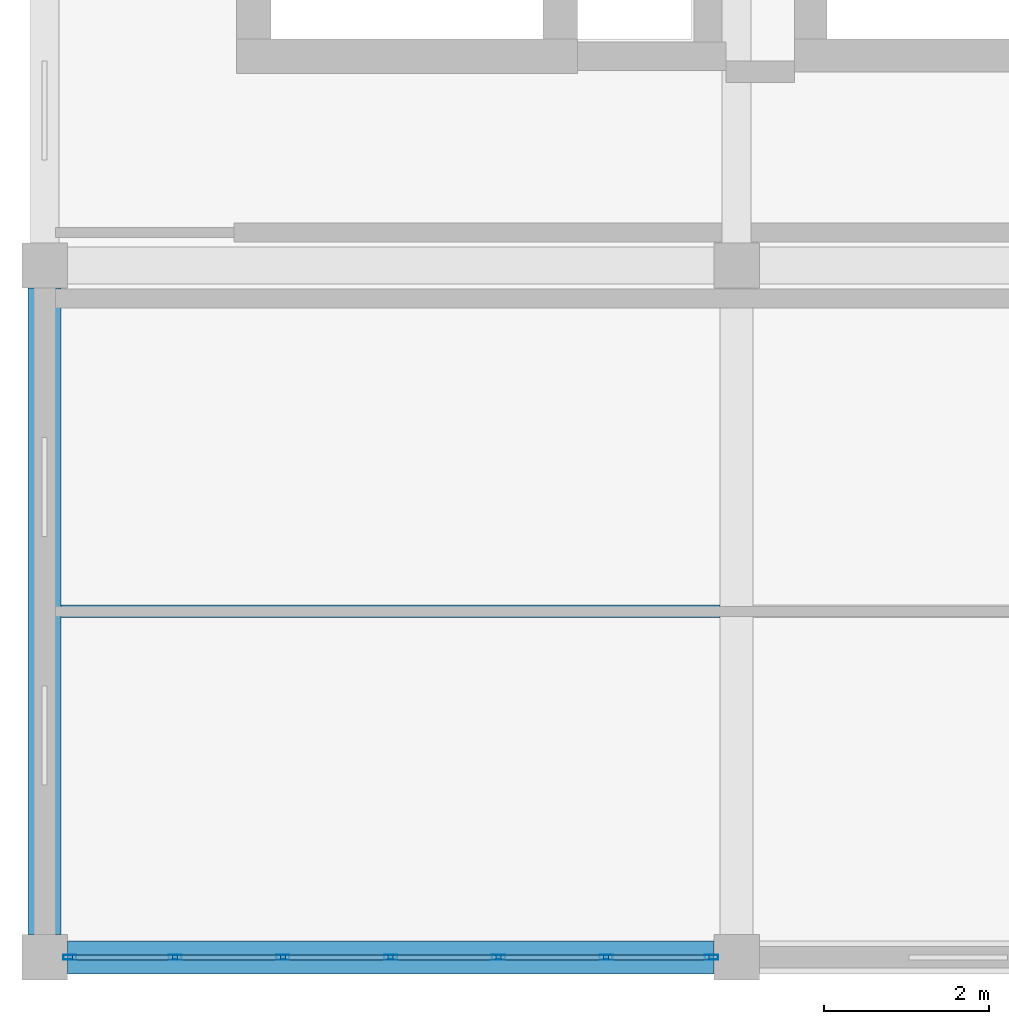
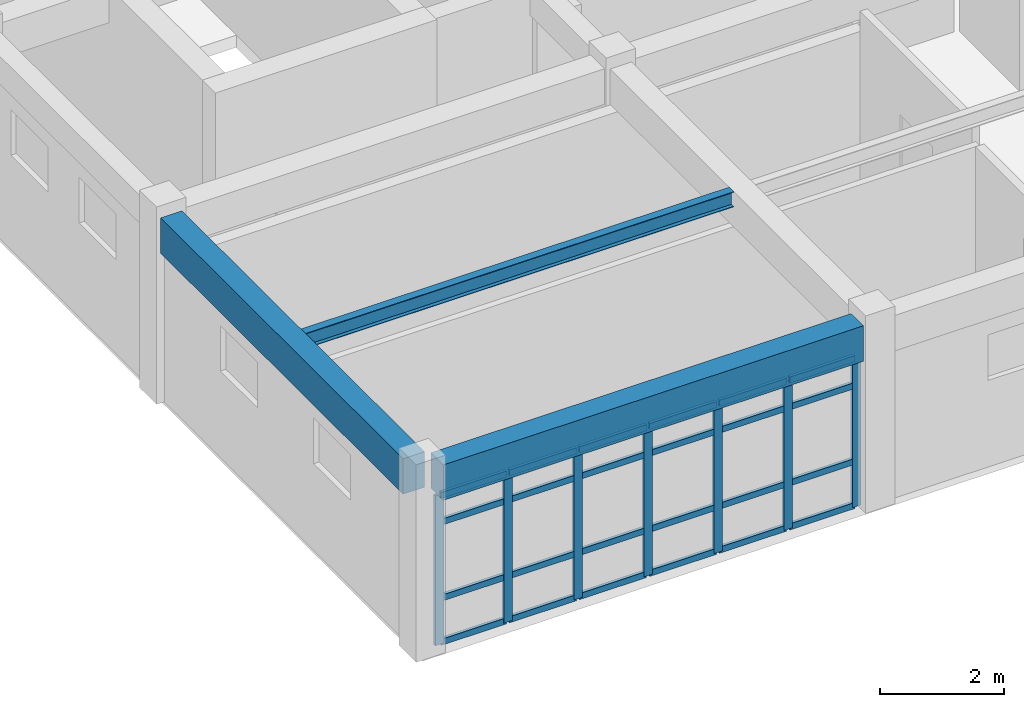
# One storey, part 2 of 17: 31 members, 3 beams, 1 element without a shape of its own.
"""IFC4 building model written with IfcOpenShell, lengths in metres."""

from ifc_helpers import new_model, si_unit, direction, frame, origin, origin_2d, place, context, subcontext, project, spatial, rectangle, hollow_rectangle, i_section, extrude, material, layer, layer_set, material_profile, profile_set, type_object, element, aggregate, save


model = new_model("IFC4")

# Units and contexts
model_context = context("Model", 3, precision=1e-05, world=origin(), true_north=direction((0.0, 1.0)))
body_context = subcontext(model_context, "Body", "Model", "MODEL_VIEW")
ifc_project = project(units=[si_unit("LENGTHUNIT", "METRE"), si_unit("AREAUNIT", "SQUARE_METRE"), si_unit("VOLUMEUNIT", "CUBIC_METRE"), si_unit("PLANEANGLEUNIT", "RADIAN"), si_unit("MASSUNIT", "GRAM", prefix="KILO")], contexts=[model_context])

# Site, building, storey
site_placement = place(None, origin())
site = spatial("IfcSite", under=ifc_project, at=site_placement, CompositionType="ELEMENT")
building_placement = place(site_placement, origin())
building = spatial("IfcBuilding", under=site, at=building_placement, Name="Krzemoval Escarpment Law Courts", CompositionType="ELEMENT")
storey_placement = place(building_placement, frame((0.0, 0.0, 42.0)))
storey = spatial("IfcBuildingStorey", under=building, at=storey_placement, Name="L09", CompositionType="ELEMENT", Elevation=42.0)

# Beams
ifc_material_1 = material(Name="Concrete C40/50", Category="concrete")
ifc_material_profile_1 = material_profile(ifc_material_1, rectangle(XDim=0.39990234375, YDim=0.699951171875, at=origin_2d()), Name="RCB 400x700")
ifc_profile_set_1 = profile_set([ifc_material_profile_1], Name="Concrete C40/50")
beam_type_1 = type_object("IfcBeamType", Name="BM-RC-400x700", PredefinedType="BEAM", material=ifc_profile_set_1)
beam_1_placement = place(storey_placement, frame((126.27490234375, 85.199951171875, 3.31005859375), z_axis=(1.0, 0.0, 0.0), x_axis=(0.0, 1.0, 0.0)))
element("IfcBeam", 1, at=beam_1_placement, inside=storey, type_object=beam_type_1, Name="Beam FG-L09-2784", PredefinedType="BEAM", context=body_context, shape_type="SweptSolid", body=[
    extrude(rectangle(XDim=0.39990234375, YDim=0.699951171875, at=origin_2d()), origin(), (0.0, 0.0, 1.0), 7.85009765625),
])
beam_2_placement = place(storey_placement, frame((126.0, 85.47509765625, 3.31005859375), z_axis=(0.0, 1.0, 0.0), x_axis=(-1.0, 0.0, 0.0)))
element("IfcBeam", 2, at=beam_2_placement, inside=storey, type_object=beam_type_1, Name="Beam FG-L09-2801", PredefinedType="BEAM", context=body_context, shape_type="SweptSolid", body=[
    extrude(rectangle(XDim=0.39990234375, YDim=0.699951171875, at=origin_2d()), origin(), (0.0, 0.0, 1.0), 7.849853515625),
])

# Curtain wall, members
ifc_material_2 = material(Name="Aluminium 6063-T6", Category="aluminium")
ifc_layer = layer(ifc_material_2, 0.199951171875)
ifc_layer_set = layer_set([ifc_layer], Name="Aluminium 6063-T6")
curtain_wall_type = type_object("IfcCurtainWallType", Name="CW-CRWN-3900", PredefinedType="USERDEFINED", material=ifc_layer_set)
curtain_wall_placement = place(storey_placement, origin())
curtain_wall = element("IfcCurtainWall", 3, at=curtain_wall_placement, inside=storey, type_object=curtain_wall_type, Name="Unitised Curtain Wall FCW-L09-168", ObjectType="UNITISED_CURTAIN_WALL", PredefinedType="USERDEFINED")
ifc_material_3 = material(Name="Aluminium 6063-T6", Category="aluminium")
ifc_material_profile_2 = material_profile(ifc_material_3, hollow_rectangle(XDim=0.06005859375, YDim=0.159912109375, WallThickness=0.00390625, at=origin_2d()), Name="ALU M60x160")
ifc_profile_set_2 = profile_set([ifc_material_profile_2], Name="Aluminium 6063-T6")
member_type_1 = type_object("IfcMemberType", Name="CWM-60x160", PredefinedType="MULLION", material=ifc_profile_set_2)
member_1_placement = place(storey_placement, frame((134.094970703125, 85.199951171875, 0.0), z_axis=(0.0, 0.0, 1.0), x_axis=(0.0, -1.0, 0.0)))
member_1 = element("IfcMember", 4, at=member_1_placement, type_object=member_type_1, Name="FCW-L09-168 mullion 1", PredefinedType="MULLION", context=body_context, shape_type="SweptSolid", body=[
    extrude(hollow_rectangle(XDim=0.06005859375, YDim=0.159912109375, WallThickness=0.00390625, at=origin_2d()), origin(), (0.0, 0.0, 1.0), 2.9599609375),
])
member_2_placement = place(storey_placement, frame((132.816650390625, 85.199951171875, 0.0), z_axis=(0.0, 0.0, 1.0), x_axis=(0.0, -1.0, 0.0)))
member_2 = element("IfcMember", 5, at=member_2_placement, type_object=member_type_1, Name="FCW-L09-168 mullion 2", PredefinedType="MULLION", context=body_context, shape_type="SweptSolid", body=[
    extrude(hollow_rectangle(XDim=0.06005859375, YDim=0.159912109375, WallThickness=0.00390625, at=origin_2d()), origin(), (0.0, 0.0, 1.0), 2.9599609375),
])
member_3_placement = place(storey_placement, frame((131.50830078125, 85.199951171875, 0.0), z_axis=(0.0, 0.0, 1.0), x_axis=(0.0, -1.0, 0.0)))
member_3 = element("IfcMember", 6, at=member_3_placement, type_object=member_type_1, Name="FCW-L09-168 mullion 3", PredefinedType="MULLION", context=body_context, shape_type="SweptSolid", body=[
    extrude(hollow_rectangle(XDim=0.06005859375, YDim=0.159912109375, WallThickness=0.00390625, at=origin_2d()), origin(), (0.0, 0.0, 1.0), 2.9599609375),
])
member_4_placement = place(storey_placement, frame((130.199951171875, 85.199951171875, 0.0), z_axis=(0.0, 0.0, 1.0), x_axis=(0.0, -1.0, 0.0)))
member_4 = element("IfcMember", 7, at=member_4_placement, type_object=member_type_1, Name="FCW-L09-168 mullion 4", PredefinedType="MULLION", context=body_context, shape_type="SweptSolid", body=[
    extrude(hollow_rectangle(XDim=0.06005859375, YDim=0.159912109375, WallThickness=0.00390625, at=origin_2d()), origin(), (0.0, 0.0, 1.0), 2.9599609375),
])
member_5_placement = place(storey_placement, frame((128.8916015625, 85.199951171875, 0.0), z_axis=(0.0, 0.0, 1.0), x_axis=(0.0, -1.0, 0.0)))
member_5 = element("IfcMember", 8, at=member_5_placement, type_object=member_type_1, Name="FCW-L09-168 mullion 5", PredefinedType="MULLION", context=body_context, shape_type="SweptSolid", body=[
    extrude(hollow_rectangle(XDim=0.06005859375, YDim=0.159912109375, WallThickness=0.00390625, at=origin_2d()), origin(), (0.0, 0.0, 1.0), 2.9599609375),
])
member_6_placement = place(storey_placement, frame((127.583251953125, 85.199951171875, 0.0), z_axis=(0.0, 0.0, 1.0), x_axis=(0.0, -1.0, 0.0)))
member_6 = element("IfcMember", 9, at=member_6_placement, type_object=member_type_1, Name="FCW-L09-168 mullion 6", PredefinedType="MULLION", context=body_context, shape_type="SweptSolid", body=[
    extrude(hollow_rectangle(XDim=0.06005859375, YDim=0.159912109375, WallThickness=0.00390625, at=origin_2d()), origin(), (0.0, 0.0, 1.0), 2.9599609375),
])
member_7_placement = place(storey_placement, frame((126.304931640625, 85.199951171875, 0.0), z_axis=(0.0, 0.0, 1.0), x_axis=(0.0, -1.0, 0.0)))
member_7 = element("IfcMember", 10, at=member_7_placement, type_object=member_type_1, Name="FCW-L09-168 mullion 7", PredefinedType="MULLION", context=body_context, shape_type="SweptSolid", body=[
    extrude(hollow_rectangle(XDim=0.06005859375, YDim=0.159912109375, WallThickness=0.00390625, at=origin_2d()), origin(), (0.0, 0.0, 1.0), 2.9599609375),
])
ifc_material_4 = material(Name="Aluminium 6063-T6", Category="aluminium")
ifc_material_profile_3 = material_profile(ifc_material_4, hollow_rectangle(XDim=0.06005859375, YDim=0.1201171875, WallThickness=0.00390625, at=origin_2d()), Name="ALU T60x120")
ifc_profile_set_3 = profile_set([ifc_material_profile_3], Name="Aluminium 6063-T6")
member_type_2 = type_object("IfcMemberType", Name="CWT-60x120", PredefinedType="USERDEFINED", material=ifc_profile_set_3)
member_8_placement = place(storey_placement, frame((134.06494140625, 85.199951171875, 0.030029296875), z_axis=(-1.0, 0.0, 0.0), x_axis=(0.0, -1.0, 0.0)))
member_8 = element("IfcMember", 11, at=member_8_placement, type_object=member_type_2, Name="FCW-L09-168 transom 1.1", ObjectType="TRANSOM", PredefinedType="USERDEFINED", context=body_context, shape_type="SweptSolid", body=[
    extrude(hollow_rectangle(XDim=0.06005859375, YDim=0.1201171875, WallThickness=0.00390625, at=origin_2d()), origin(), (0.0, 0.0, 1.0), 1.21826171875),
])
member_9_placement = place(storey_placement, frame((134.06494140625, 85.199951171875, 0.89990234375), z_axis=(-1.0, 0.0, 0.0), x_axis=(0.0, -1.0, 0.0)))
member_9 = element("IfcMember", 12, at=member_9_placement, type_object=member_type_2, Name="FCW-L09-168 transom 1.2", ObjectType="TRANSOM", PredefinedType="USERDEFINED", context=body_context, shape_type="SweptSolid", body=[
    extrude(hollow_rectangle(XDim=0.06005859375, YDim=0.1201171875, WallThickness=0.00390625, at=origin_2d()), origin(), (0.0, 0.0, 1.0), 1.21826171875),
])
member_10_placement = place(storey_placement, frame((134.06494140625, 85.199951171875, 2.39990234375), z_axis=(-1.0, 0.0, 0.0), x_axis=(0.0, -1.0, 0.0)))
member_10 = element("IfcMember", 13, at=member_10_placement, type_object=member_type_2, Name="FCW-L09-168 transom 1.3", ObjectType="TRANSOM", PredefinedType="USERDEFINED", context=body_context, shape_type="SweptSolid", body=[
    extrude(hollow_rectangle(XDim=0.06005859375, YDim=0.1201171875, WallThickness=0.00390625, at=origin_2d()), origin(), (0.0, 0.0, 1.0), 1.21826171875),
])
member_11_placement = place(storey_placement, frame((134.06494140625, 85.199951171875, 2.929931640625), z_axis=(-1.0, 0.0, 0.0), x_axis=(0.0, -1.0, 0.0)))
member_11 = element("IfcMember", 14, at=member_11_placement, type_object=member_type_2, Name="FCW-L09-168 transom 1.4", ObjectType="TRANSOM", PredefinedType="USERDEFINED", context=body_context, shape_type="SweptSolid", body=[
    extrude(hollow_rectangle(XDim=0.06005859375, YDim=0.1201171875, WallThickness=0.00390625, at=origin_2d()), origin(), (0.0, 0.0, 1.0), 1.21826171875),
])
member_12_placement = place(storey_placement, frame((132.78662109375, 85.199951171875, 0.030029296875), z_axis=(-1.0, 0.0, 0.0), x_axis=(0.0, -1.0, 0.0)))
member_12 = element("IfcMember", 15, at=member_12_placement, type_object=member_type_2, Name="FCW-L09-168 transom 2.1", ObjectType="TRANSOM", PredefinedType="USERDEFINED", context=body_context, shape_type="SweptSolid", body=[
    extrude(hollow_rectangle(XDim=0.06005859375, YDim=0.1201171875, WallThickness=0.00390625, at=origin_2d()), origin(), (0.0, 0.0, 1.0), 1.248291015625),
])
member_13_placement = place(storey_placement, frame((132.78662109375, 85.199951171875, 0.89990234375), z_axis=(-1.0, 0.0, 0.0), x_axis=(0.0, -1.0, 0.0)))
member_13 = element("IfcMember", 16, at=member_13_placement, type_object=member_type_2, Name="FCW-L09-168 transom 2.2", ObjectType="TRANSOM", PredefinedType="USERDEFINED", context=body_context, shape_type="SweptSolid", body=[
    extrude(hollow_rectangle(XDim=0.06005859375, YDim=0.1201171875, WallThickness=0.00390625, at=origin_2d()), origin(), (0.0, 0.0, 1.0), 1.248291015625),
])
member_14_placement = place(storey_placement, frame((132.78662109375, 85.199951171875, 2.39990234375), z_axis=(-1.0, 0.0, 0.0), x_axis=(0.0, -1.0, 0.0)))
member_14 = element("IfcMember", 17, at=member_14_placement, type_object=member_type_2, Name="FCW-L09-168 transom 2.3", ObjectType="TRANSOM", PredefinedType="USERDEFINED", context=body_context, shape_type="SweptSolid", body=[
    extrude(hollow_rectangle(XDim=0.06005859375, YDim=0.1201171875, WallThickness=0.00390625, at=origin_2d()), origin(), (0.0, 0.0, 1.0), 1.248291015625),
])
member_15_placement = place(storey_placement, frame((132.78662109375, 85.199951171875, 2.929931640625), z_axis=(-1.0, 0.0, 0.0), x_axis=(0.0, -1.0, 0.0)))
member_15 = element("IfcMember", 18, at=member_15_placement, type_object=member_type_2, Name="FCW-L09-168 transom 2.4", ObjectType="TRANSOM", PredefinedType="USERDEFINED", context=body_context, shape_type="SweptSolid", body=[
    extrude(hollow_rectangle(XDim=0.06005859375, YDim=0.1201171875, WallThickness=0.00390625, at=origin_2d()), origin(), (0.0, 0.0, 1.0), 1.248291015625),
])
member_16_placement = place(storey_placement, frame((131.478271484375, 85.199951171875, 0.030029296875), z_axis=(-1.0, 0.0, 0.0), x_axis=(0.0, -1.0, 0.0)))
member_16 = element("IfcMember", 19, at=member_16_placement, type_object=member_type_2, Name="FCW-L09-168 transom 3.1", ObjectType="TRANSOM", PredefinedType="USERDEFINED", context=body_context, shape_type="SweptSolid", body=[
    extrude(hollow_rectangle(XDim=0.06005859375, YDim=0.1201171875, WallThickness=0.00390625, at=origin_2d()), origin(), (0.0, 0.0, 1.0), 1.248291015625),
])
member_17_placement = place(storey_placement, frame((131.478271484375, 85.199951171875, 0.89990234375), z_axis=(-1.0, 0.0, 0.0), x_axis=(0.0, -1.0, 0.0)))
member_17 = element("IfcMember", 20, at=member_17_placement, type_object=member_type_2, Name="FCW-L09-168 transom 3.2", ObjectType="TRANSOM", PredefinedType="USERDEFINED", context=body_context, shape_type="SweptSolid", body=[
    extrude(hollow_rectangle(XDim=0.06005859375, YDim=0.1201171875, WallThickness=0.00390625, at=origin_2d()), origin(), (0.0, 0.0, 1.0), 1.248291015625),
])
member_18_placement = place(storey_placement, frame((131.478271484375, 85.199951171875, 2.39990234375), z_axis=(-1.0, 0.0, 0.0), x_axis=(0.0, -1.0, 0.0)))
member_18 = element("IfcMember", 21, at=member_18_placement, type_object=member_type_2, Name="FCW-L09-168 transom 3.3", ObjectType="TRANSOM", PredefinedType="USERDEFINED", context=body_context, shape_type="SweptSolid", body=[
    extrude(hollow_rectangle(XDim=0.06005859375, YDim=0.1201171875, WallThickness=0.00390625, at=origin_2d()), origin(), (0.0, 0.0, 1.0), 1.248291015625),
])
member_19_placement = place(storey_placement, frame((131.478271484375, 85.199951171875, 2.929931640625), z_axis=(-1.0, 0.0, 0.0), x_axis=(0.0, -1.0, 0.0)))
member_19 = element("IfcMember", 22, at=member_19_placement, type_object=member_type_2, Name="FCW-L09-168 transom 3.4", ObjectType="TRANSOM", PredefinedType="USERDEFINED", context=body_context, shape_type="SweptSolid", body=[
    extrude(hollow_rectangle(XDim=0.06005859375, YDim=0.1201171875, WallThickness=0.00390625, at=origin_2d()), origin(), (0.0, 0.0, 1.0), 1.248291015625),
])
member_20_placement = place(storey_placement, frame((130.169921875, 85.199951171875, 0.030029296875), z_axis=(-1.0, 0.0, 0.0), x_axis=(0.0, -1.0, 0.0)))
member_20 = element("IfcMember", 23, at=member_20_placement, type_object=member_type_2, Name="FCW-L09-168 transom 4.1", ObjectType="TRANSOM", PredefinedType="USERDEFINED", context=body_context, shape_type="SweptSolid", body=[
    extrude(hollow_rectangle(XDim=0.06005859375, YDim=0.1201171875, WallThickness=0.00390625, at=origin_2d()), origin(), (0.0, 0.0, 1.0), 1.248291015625),
])
member_21_placement = place(storey_placement, frame((130.169921875, 85.199951171875, 0.89990234375), z_axis=(-1.0, 0.0, 0.0), x_axis=(0.0, -1.0, 0.0)))
member_21 = element("IfcMember", 24, at=member_21_placement, type_object=member_type_2, Name="FCW-L09-168 transom 4.2", ObjectType="TRANSOM", PredefinedType="USERDEFINED", context=body_context, shape_type="SweptSolid", body=[
    extrude(hollow_rectangle(XDim=0.06005859375, YDim=0.1201171875, WallThickness=0.00390625, at=origin_2d()), origin(), (0.0, 0.0, 1.0), 1.248291015625),
])
member_22_placement = place(storey_placement, frame((130.169921875, 85.199951171875, 2.39990234375), z_axis=(-1.0, 0.0, 0.0), x_axis=(0.0, -1.0, 0.0)))
member_22 = element("IfcMember", 25, at=member_22_placement, type_object=member_type_2, Name="FCW-L09-168 transom 4.3", ObjectType="TRANSOM", PredefinedType="USERDEFINED", context=body_context, shape_type="SweptSolid", body=[
    extrude(hollow_rectangle(XDim=0.06005859375, YDim=0.1201171875, WallThickness=0.00390625, at=origin_2d()), origin(), (0.0, 0.0, 1.0), 1.248291015625),
])
member_23_placement = place(storey_placement, frame((130.169921875, 85.199951171875, 2.929931640625), z_axis=(-1.0, 0.0, 0.0), x_axis=(0.0, -1.0, 0.0)))
member_23 = element("IfcMember", 26, at=member_23_placement, type_object=member_type_2, Name="FCW-L09-168 transom 4.4", ObjectType="TRANSOM", PredefinedType="USERDEFINED", context=body_context, shape_type="SweptSolid", body=[
    extrude(hollow_rectangle(XDim=0.06005859375, YDim=0.1201171875, WallThickness=0.00390625, at=origin_2d()), origin(), (0.0, 0.0, 1.0), 1.248291015625),
])
member_24_placement = place(storey_placement, frame((128.861572265625, 85.199951171875, 0.030029296875), z_axis=(-1.0, 0.0, 0.0), x_axis=(0.0, -1.0, 0.0)))
member_24 = element("IfcMember", 27, at=member_24_placement, type_object=member_type_2, Name="FCW-L09-168 transom 5.1", ObjectType="TRANSOM", PredefinedType="USERDEFINED", context=body_context, shape_type="SweptSolid", body=[
    extrude(hollow_rectangle(XDim=0.06005859375, YDim=0.1201171875, WallThickness=0.00390625, at=origin_2d()), origin(), (0.0, 0.0, 1.0), 1.248291015625),
])
member_25_placement = place(storey_placement, frame((128.861572265625, 85.199951171875, 0.89990234375), z_axis=(-1.0, 0.0, 0.0), x_axis=(0.0, -1.0, 0.0)))
member_25 = element("IfcMember", 28, at=member_25_placement, type_object=member_type_2, Name="FCW-L09-168 transom 5.2", ObjectType="TRANSOM", PredefinedType="USERDEFINED", context=body_context, shape_type="SweptSolid", body=[
    extrude(hollow_rectangle(XDim=0.06005859375, YDim=0.1201171875, WallThickness=0.00390625, at=origin_2d()), origin(), (0.0, 0.0, 1.0), 1.248291015625),
])
member_26_placement = place(storey_placement, frame((128.861572265625, 85.199951171875, 2.39990234375), z_axis=(-1.0, 0.0, 0.0), x_axis=(0.0, -1.0, 0.0)))
member_26 = element("IfcMember", 29, at=member_26_placement, type_object=member_type_2, Name="FCW-L09-168 transom 5.3", ObjectType="TRANSOM", PredefinedType="USERDEFINED", context=body_context, shape_type="SweptSolid", body=[
    extrude(hollow_rectangle(XDim=0.06005859375, YDim=0.1201171875, WallThickness=0.00390625, at=origin_2d()), origin(), (0.0, 0.0, 1.0), 1.248291015625),
])
member_27_placement = place(storey_placement, frame((128.861572265625, 85.199951171875, 2.929931640625), z_axis=(-1.0, 0.0, 0.0), x_axis=(0.0, -1.0, 0.0)))
member_27 = element("IfcMember", 30, at=member_27_placement, type_object=member_type_2, Name="FCW-L09-168 transom 5.4", ObjectType="TRANSOM", PredefinedType="USERDEFINED", context=body_context, shape_type="SweptSolid", body=[
    extrude(hollow_rectangle(XDim=0.06005859375, YDim=0.1201171875, WallThickness=0.00390625, at=origin_2d()), origin(), (0.0, 0.0, 1.0), 1.248291015625),
])
member_28_placement = place(storey_placement, frame((127.55322265625, 85.199951171875, 0.030029296875), z_axis=(-1.0, 0.0, 0.0), x_axis=(0.0, -1.0, 0.0)))
member_28 = element("IfcMember", 31, at=member_28_placement, type_object=member_type_2, Name="FCW-L09-168 transom 6.1", ObjectType="TRANSOM", PredefinedType="USERDEFINED", context=body_context, shape_type="SweptSolid", body=[
    extrude(hollow_rectangle(XDim=0.06005859375, YDim=0.1201171875, WallThickness=0.00390625, at=origin_2d()), origin(), (0.0, 0.0, 1.0), 1.21826171875),
])
member_29_placement = place(storey_placement, frame((127.55322265625, 85.199951171875, 0.89990234375), z_axis=(-1.0, 0.0, 0.0), x_axis=(0.0, -1.0, 0.0)))
member_29 = element("IfcMember", 32, at=member_29_placement, type_object=member_type_2, Name="FCW-L09-168 transom 6.2", ObjectType="TRANSOM", PredefinedType="USERDEFINED", context=body_context, shape_type="SweptSolid", body=[
    extrude(hollow_rectangle(XDim=0.06005859375, YDim=0.1201171875, WallThickness=0.00390625, at=origin_2d()), origin(), (0.0, 0.0, 1.0), 1.21826171875),
])
member_30_placement = place(storey_placement, frame((127.55322265625, 85.199951171875, 2.39990234375), z_axis=(-1.0, 0.0, 0.0), x_axis=(0.0, -1.0, 0.0)))
member_30 = element("IfcMember", 33, at=member_30_placement, type_object=member_type_2, Name="FCW-L09-168 transom 6.3", ObjectType="TRANSOM", PredefinedType="USERDEFINED", context=body_context, shape_type="SweptSolid", body=[
    extrude(hollow_rectangle(XDim=0.06005859375, YDim=0.1201171875, WallThickness=0.00390625, at=origin_2d()), origin(), (0.0, 0.0, 1.0), 1.21826171875),
])
member_31_placement = place(storey_placement, frame((127.55322265625, 85.199951171875, 2.929931640625), z_axis=(-1.0, 0.0, 0.0), x_axis=(0.0, -1.0, 0.0)))
member_31 = element("IfcMember", 34, at=member_31_placement, type_object=member_type_2, Name="FCW-L09-168 transom 6.4", ObjectType="TRANSOM", PredefinedType="USERDEFINED", context=body_context, shape_type="SweptSolid", body=[
    extrude(hollow_rectangle(XDim=0.06005859375, YDim=0.1201171875, WallThickness=0.00390625, at=origin_2d()), origin(), (0.0, 0.0, 1.0), 1.21826171875),
])
aggregate(curtain_wall, [member_1, member_2, member_3, member_4, member_5, member_6, member_7, member_8, member_9, member_10, member_11, member_12, member_13, member_14, member_15, member_16, member_17, member_18, member_19, member_20, member_21, member_22, member_23, member_24, member_25, member_26, member_27, member_28, member_29, member_30, member_31])

# Beam
ifc_material_5 = material(Name="Steel S355", Category="steel")
ifc_material_profile_4 = material_profile(ifc_material_5, i_section(OverallWidth=0.14990234375, OverallDepth=0.300048828125, WebThickness=0.007080078125, FlangeThickness=0.0107421875, at=origin_2d()), Name="IPE 300")
ifc_profile_set_4 = profile_set([ifc_material_profile_4], Name="Steel S355")
beam_type_2 = type_object("IfcBeamType", Name="JST-S355-IPE300", PredefinedType="JOIST", material=ifc_profile_set_4)
beam_3_placement = place(storey_placement, frame((126.199951171875, 89.39990234375, 3.510009765625), z_axis=(1.0, 0.0, 0.0), x_axis=(0.0, 1.0, 0.0)))
element("IfcBeam", 35, at=beam_3_placement, inside=storey, type_object=beam_type_2, Name="Secondary Joist FJ-L09-2820", PredefinedType="JOIST", context=body_context, shape_type="SweptSolid", body=[
    extrude(i_section(OverallWidth=0.14990234375, OverallDepth=0.300048828125, WebThickness=0.007080078125, FlangeThickness=0.0107421875, at=origin_2d()), origin(), (0.0, 0.0, 1.0), 8.0),
])

save(model, "model.ifc")
